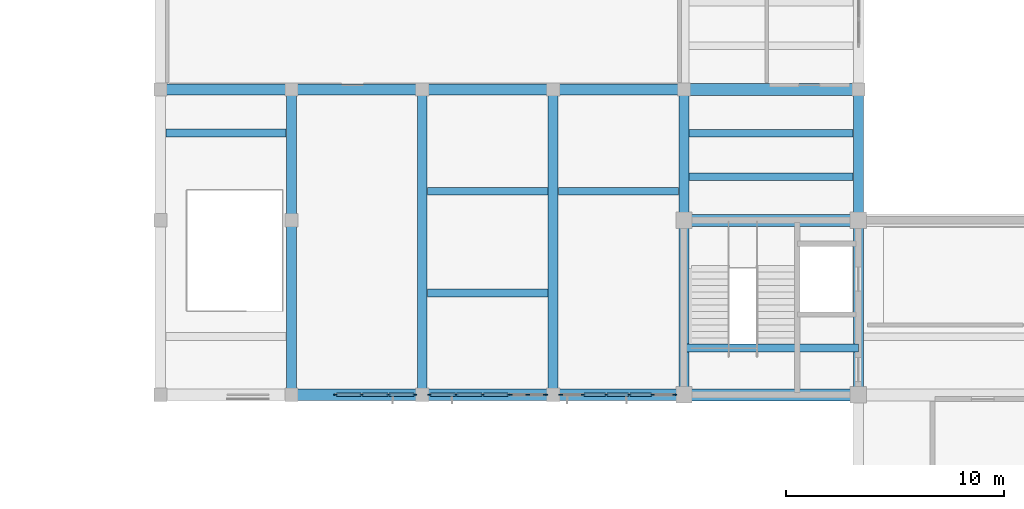
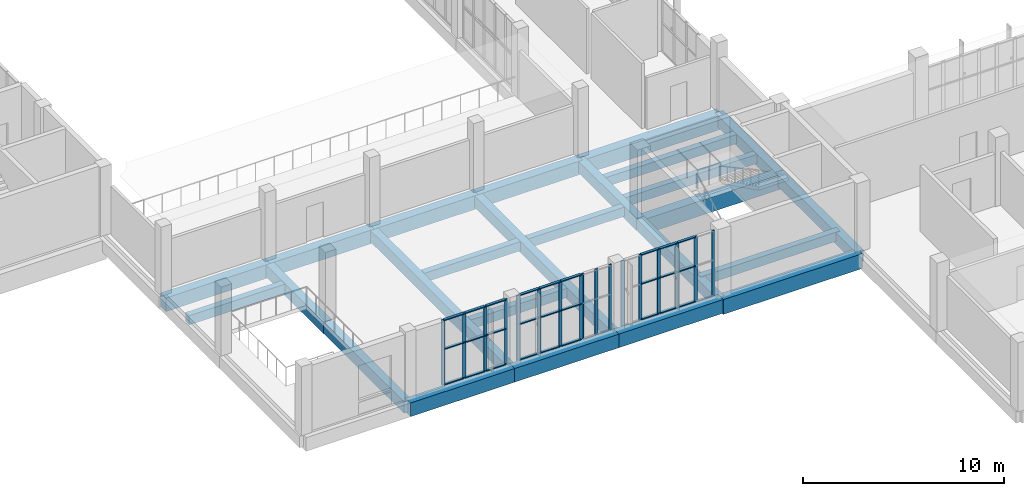
# One storey, part 2 of 85: 44 members, 25 beams, 4 elements without a shape of their own.
"""IFC4 building model written with IfcOpenShell, lengths in metres."""

from ifc_helpers import new_model, si_unit, direction, frame, origin, origin_2d, place, context, subcontext, project, spatial, rectangle, extrude, material, layer, layer_set, material_profile, profile_set, type_object, element, aggregate, save


model = new_model("IFC4")

# Units and contexts
model_context = context("Model", 3, precision=1e-05, world=origin(), true_north=direction((0.0, 1.0)))
body_context = subcontext(model_context, "Body", "Model", "MODEL_VIEW")
ifc_project = project(units=[si_unit("LENGTHUNIT", "METRE"), si_unit("AREAUNIT", "SQUARE_METRE"), si_unit("VOLUMEUNIT", "CUBIC_METRE"), si_unit("PLANEANGLEUNIT", "RADIAN"), si_unit("MASSUNIT", "GRAM", prefix="KILO")], contexts=[model_context])

# Site, building, storey
site_placement = place(None, origin())
site = spatial("IfcSite", under=ifc_project, at=site_placement, CompositionType="ELEMENT")
building_placement = place(site_placement, origin())
building = spatial("IfcBuilding", under=site, at=building_placement, Name="Solvane Community Centre", CompositionType="ELEMENT")
storey_placement = place(building_placement, frame((0.0, 0.0, 5.39990234375)))
storey = spatial("IfcBuildingStorey", under=building, at=storey_placement, Name="L01", CompositionType="ELEMENT", Elevation=5.39990234375)

# Curtain wall, members
ifc_material_1 = material(Name="Anodised bronze aluminium AW-6063 T6", Category="aluminium")
ifc_layer_1 = layer(ifc_material_1, 0.18994140625)
ifc_layer_set_1 = layer_set([ifc_layer_1], Name="Anodised bronze aluminium AW-6063 T6")
curtain_wall_type_1 = type_object("IfcCurtainWallType", Name="Boulevard Bronze Vision Curtain Wall [53x40dm]", PredefinedType="NOTDEFINED", material=ifc_layer_set_1)
curtain_wall_1_placement = place(storey_placement, origin())
curtain_wall_1 = element("IfcCurtainWall", 1, at=curtain_wall_1_placement, inside=storey, type_object=curtain_wall_type_1, Name="Curtain Wall CW-L01-596_220-080", PredefinedType="NOTDEFINED")
ifc_material_profile_1 = material_profile(ifc_material_1, rectangle(XDim=0.06005859375, YDim=0.18994140625, at=origin_2d()), Name="CW-M 60x190")
ifc_profile_set_1 = profile_set([ifc_material_profile_1], Name="Anodised bronze aluminium AW-6063 T6")
member_type_1 = type_object("IfcMemberType", Name="Boulevard Mullion 60x190", PredefinedType="MULLION", material=ifc_profile_set_1)
member_1_placement = place(storey_placement, frame((59.580078125, 22.0, 0.0), z_axis=(0.0, 0.0, 1.0), x_axis=(0.0, -1.0, 0.0)))
member_1 = element("IfcMember", 2, at=member_1_placement, type_object=member_type_1, Name="CW02-53x40 mullion 1", PredefinedType="MULLION", context=body_context, shape_type="SweptSolid", body=[
    extrude(rectangle(XDim=0.06005859375, YDim=0.18994140625, at=origin_2d()), origin(), (0.0, 0.0, 1.0), 3.97998046875),
])
member_2_placement = place(storey_placement, frame((58.552001953125, 22.0, 0.0), z_axis=(0.0, 0.0, 1.0), x_axis=(0.0, -1.0, 0.0)))
member_2 = element("IfcMember", 3, at=member_2_placement, type_object=member_type_1, Name="CW02-53x40 mullion 2", PredefinedType="MULLION", context=body_context, shape_type="SweptSolid", body=[
    extrude(rectangle(XDim=0.06005859375, YDim=0.18994140625, at=origin_2d()), origin(), (0.0, 0.0, 1.0), 3.97998046875),
])
member_3_placement = place(storey_placement, frame((57.493896484375, 22.0, 0.0), z_axis=(0.0, 0.0, 1.0), x_axis=(0.0, -1.0, 0.0)))
member_3 = element("IfcMember", 4, at=member_3_placement, type_object=member_type_1, Name="CW02-53x40 mullion 3", PredefinedType="MULLION", context=body_context, shape_type="SweptSolid", body=[
    extrude(rectangle(XDim=0.06005859375, YDim=0.18994140625, at=origin_2d()), origin(), (0.0, 0.0, 1.0), 3.97998046875),
])
member_4_placement = place(storey_placement, frame((56.43603515625, 22.0, 0.0), z_axis=(0.0, 0.0, 1.0), x_axis=(0.0, -1.0, 0.0)))
member_4 = element("IfcMember", 5, at=member_4_placement, type_object=member_type_1, Name="CW02-53x40 mullion 4", PredefinedType="MULLION", context=body_context, shape_type="SweptSolid", body=[
    extrude(rectangle(XDim=0.06005859375, YDim=0.18994140625, at=origin_2d()), origin(), (0.0, 0.0, 1.0), 3.97998046875),
])
member_5_placement = place(storey_placement, frame((55.3779296875, 22.0, 0.0), z_axis=(0.0, 0.0, 1.0), x_axis=(0.0, -1.0, 0.0)))
member_5 = element("IfcMember", 6, at=member_5_placement, type_object=member_type_1, Name="CW02-53x40 mullion 5", PredefinedType="MULLION", context=body_context, shape_type="SweptSolid", body=[
    extrude(rectangle(XDim=0.06005859375, YDim=0.18994140625, at=origin_2d()), origin(), (0.0, 0.0, 1.0), 3.97998046875),
])
member_6_placement = place(storey_placement, frame((54.35009765625, 22.0, 0.0), z_axis=(0.0, 0.0, 1.0), x_axis=(0.0, -1.0, 0.0)))
member_6 = element("IfcMember", 7, at=member_6_placement, type_object=member_type_1, Name="CW02-53x40 mullion 6", PredefinedType="MULLION", context=body_context, shape_type="SweptSolid", body=[
    extrude(rectangle(XDim=0.06005859375, YDim=0.18994140625, at=origin_2d()), origin(), (0.0, 0.0, 1.0), 3.97998046875),
])

ifc_layer_2 = layer(ifc_material_1, 0.18994140625)
ifc_layer_set_2 = layer_set([ifc_layer_2], Name="Anodised bronze aluminium AW-6063 T6")
curtain_wall_type_2 = type_object("IfcCurtainWallType", Name="Boulevard Bronze Vision Curtain Wall [17x40dm]", PredefinedType="NOTDEFINED", material=ifc_layer_set_2)
curtain_wall_2_placement = place(storey_placement, origin())
curtain_wall_2 = element("IfcCurtainWall", 8, at=curtain_wall_2_placement, inside=storey, type_object=curtain_wall_type_2, Name="Curtain Wall CW-L01-537_220-081", PredefinedType="NOTDEFINED")
member_7_placement = place(storey_placement, frame((53.64990234375, 22.0, 0.0), z_axis=(0.0, 0.0, 1.0), x_axis=(0.0, -1.0, 0.0)))
member_7 = element("IfcMember", 9, at=member_7_placement, type_object=member_type_1, Name="CW02-17x40 mullion 1", PredefinedType="MULLION", context=body_context, shape_type="SweptSolid", body=[
    extrude(rectangle(XDim=0.06005859375, YDim=0.18994140625, at=origin_2d()), origin(), (0.0, 0.0, 1.0), 3.97998046875),
])
member_8_placement = place(storey_placement, frame((52.840087890625, 22.0, 0.0), z_axis=(0.0, 0.0, 1.0), x_axis=(0.0, -1.0, 0.0)))
member_8 = element("IfcMember", 10, at=member_8_placement, type_object=member_type_1, Name="CW02-17x40 mullion 2", PredefinedType="MULLION", context=body_context, shape_type="SweptSolid", body=[
    extrude(rectangle(XDim=0.06005859375, YDim=0.18994140625, at=origin_2d()), origin(), (0.0, 0.0, 1.0), 3.97998046875),
])
member_9_placement = place(storey_placement, frame((52.030029296875, 22.0, 0.0), z_axis=(0.0, 0.0, 1.0), x_axis=(0.0, -1.0, 0.0)))
member_9 = element("IfcMember", 11, at=member_9_placement, type_object=member_type_1, Name="CW02-17x40 mullion 3", PredefinedType="MULLION", context=body_context, shape_type="SweptSolid", body=[
    extrude(rectangle(XDim=0.06005859375, YDim=0.18994140625, at=origin_2d()), origin(), (0.0, 0.0, 1.0), 3.97998046875),
])
aggregate(curtain_wall_2, [member_7, member_8, member_9])

ifc_layer_3 = layer(ifc_material_1, 0.18994140625)
ifc_layer_set_3 = layer_set([ifc_layer_3], Name="Anodised bronze aluminium AW-6063 T6")
curtain_wall_type_3 = type_object("IfcCurtainWallType", Name="Boulevard Bronze Vision Curtain Wall [37x40dm]", PredefinedType="NOTDEFINED", material=ifc_layer_set_3)
curtain_wall_3_placement = place(storey_placement, origin())
curtain_wall_3 = element("IfcCurtainWall", 12, at=curtain_wall_3_placement, inside=storey, type_object=curtain_wall_type_3, Name="Curtain Wall CW-L01-520_220-082", PredefinedType="NOTDEFINED")
member_10_placement = place(storey_placement, frame((51.969970703125, 22.0, 0.0), z_axis=(0.0, 0.0, 1.0), x_axis=(0.0, -1.0, 0.0)))
member_10 = element("IfcMember", 13, at=member_10_placement, type_object=member_type_1, Name="CW02-37x40 mullion 1", PredefinedType="MULLION", context=body_context, shape_type="SweptSolid", body=[
    extrude(rectangle(XDim=0.06005859375, YDim=0.18994140625, at=origin_2d()), origin(), (0.0, 0.0, 1.0), 3.97998046875),
])
member_11_placement = place(storey_placement, frame((50.7734375, 22.0, 0.0), z_axis=(0.0, 0.0, 1.0), x_axis=(0.0, -1.0, 0.0)))
member_11 = element("IfcMember", 14, at=member_11_placement, type_object=member_type_1, Name="CW02-37x40 mullion 2", PredefinedType="MULLION", context=body_context, shape_type="SweptSolid", body=[
    extrude(rectangle(XDim=0.06005859375, YDim=0.18994140625, at=origin_2d()), origin(), (0.0, 0.0, 1.0), 3.97998046875),
])
member_12_placement = place(storey_placement, frame((49.546630859375, 22.0, 0.0), z_axis=(0.0, 0.0, 1.0), x_axis=(0.0, -1.0, 0.0)))
member_12 = element("IfcMember", 15, at=member_12_placement, type_object=member_type_1, Name="CW02-37x40 mullion 3", PredefinedType="MULLION", context=body_context, shape_type="SweptSolid", body=[
    extrude(rectangle(XDim=0.06005859375, YDim=0.18994140625, at=origin_2d()), origin(), (0.0, 0.0, 1.0), 3.97998046875),
])
member_13_placement = place(storey_placement, frame((48.35009765625, 22.0, 0.0), z_axis=(0.0, 0.0, 1.0), x_axis=(0.0, -1.0, 0.0)))
member_13 = element("IfcMember", 16, at=member_13_placement, type_object=member_type_1, Name="CW02-37x40 mullion 4", PredefinedType="MULLION", context=body_context, shape_type="SweptSolid", body=[
    extrude(rectangle(XDim=0.06005859375, YDim=0.18994140625, at=origin_2d()), origin(), (0.0, 0.0, 1.0), 3.97998046875),
])

curtain_wall_4_placement = place(storey_placement, origin())
curtain_wall_4 = element("IfcCurtainWall", 17, at=curtain_wall_4_placement, inside=storey, type_object=curtain_wall_type_3, Name="Curtain Wall CW-L01-477_220-083", PredefinedType="NOTDEFINED")
member_14_placement = place(storey_placement, frame((47.64990234375, 22.0, 0.0), z_axis=(0.0, 0.0, 1.0), x_axis=(0.0, -1.0, 0.0)))
member_14 = element("IfcMember", 18, at=member_14_placement, type_object=member_type_1, Name="CW02-37x40 mullion 1", PredefinedType="MULLION", context=body_context, shape_type="SweptSolid", body=[
    extrude(rectangle(XDim=0.06005859375, YDim=0.18994140625, at=origin_2d()), origin(), (0.0, 0.0, 1.0), 3.97998046875),
])
member_15_placement = place(storey_placement, frame((46.453369140625, 22.0, 0.0), z_axis=(0.0, 0.0, 1.0), x_axis=(0.0, -1.0, 0.0)))
member_15 = element("IfcMember", 19, at=member_15_placement, type_object=member_type_1, Name="CW02-37x40 mullion 2", PredefinedType="MULLION", context=body_context, shape_type="SweptSolid", body=[
    extrude(rectangle(XDim=0.06005859375, YDim=0.18994140625, at=origin_2d()), origin(), (0.0, 0.0, 1.0), 3.97998046875),
])
member_16_placement = place(storey_placement, frame((45.2265625, 22.0, 0.0), z_axis=(0.0, 0.0, 1.0), x_axis=(0.0, -1.0, 0.0)))
member_16 = element("IfcMember", 20, at=member_16_placement, type_object=member_type_1, Name="CW02-37x40 mullion 3", PredefinedType="MULLION", context=body_context, shape_type="SweptSolid", body=[
    extrude(rectangle(XDim=0.06005859375, YDim=0.18994140625, at=origin_2d()), origin(), (0.0, 0.0, 1.0), 3.97998046875),
])
member_17_placement = place(storey_placement, frame((44.030029296875, 22.0, 0.0), z_axis=(0.0, 0.0, 1.0), x_axis=(0.0, -1.0, 0.0)))
member_17 = element("IfcMember", 21, at=member_17_placement, type_object=member_type_1, Name="CW02-37x40 mullion 4", PredefinedType="MULLION", context=body_context, shape_type="SweptSolid", body=[
    extrude(rectangle(XDim=0.06005859375, YDim=0.18994140625, at=origin_2d()), origin(), (0.0, 0.0, 1.0), 3.97998046875),
])

# Member
ifc_material_profile_2 = material_profile(ifc_material_1, rectangle(XDim=0.14990234375, YDim=0.06005859375, at=origin_2d()), Name="CW-T 60x150")
ifc_profile_set_2 = profile_set([ifc_material_profile_2], Name="Anodised bronze aluminium AW-6063 T6")
member_type_2 = type_object("IfcMemberType", Name="Boulevard Transom 60x150", PredefinedType="USERDEFINED", material=ifc_profile_set_2)
member_18_placement = place(storey_placement, frame((58.52197265625, 22.0, 0.030029296875), z_axis=(-1.0, 0.0, 0.0), x_axis=(0.0, -1.0, 0.0)))
member_18 = element("IfcMember", 22, at=member_18_placement, type_object=member_type_2, Name="CW02-53x40 transom 2.1", ObjectType="TRANSOM", PredefinedType="USERDEFINED", context=body_context, shape_type="SweptSolid", body=[
    extrude(rectangle(XDim=0.14990234375, YDim=0.06005859375, at=origin_2d()), origin(), (0.0, 0.0, 1.0), 0.998046875),
])

member_19_placement = place(storey_placement, frame((58.52197265625, 22.0, 2.189208984375), z_axis=(-1.0, 0.0, 0.0), x_axis=(0.0, -1.0, 0.0)))
member_19 = element("IfcMember", 23, at=member_19_placement, type_object=member_type_2, Name="CW02-53x40 transom 2.2", ObjectType="TRANSOM", PredefinedType="USERDEFINED", context=body_context, shape_type="SweptSolid", body=[
    extrude(rectangle(XDim=0.14990234375, YDim=0.06005859375, at=origin_2d()), origin(), (0.0, 0.0, 1.0), 0.998046875),
])

member_20_placement = place(storey_placement, frame((58.52197265625, 22.0, 3.9501953125), z_axis=(-1.0, 0.0, 0.0), x_axis=(0.0, -1.0, 0.0)))
member_20 = element("IfcMember", 24, at=member_20_placement, type_object=member_type_2, Name="CW02-53x40 transom 2.3", ObjectType="TRANSOM", PredefinedType="USERDEFINED", context=body_context, shape_type="SweptSolid", body=[
    extrude(rectangle(XDim=0.14990234375, YDim=0.06005859375, at=origin_2d()), origin(), (0.0, 0.0, 1.0), 0.998046875),
])

member_21_placement = place(storey_placement, frame((57.464111328125, 22.0, 0.030029296875), z_axis=(-1.0, 0.0, 0.0), x_axis=(0.0, -1.0, 0.0)))
member_21 = element("IfcMember", 25, at=member_21_placement, type_object=member_type_2, Name="CW02-53x40 transom 3.1", ObjectType="TRANSOM", PredefinedType="USERDEFINED", context=body_context, shape_type="SweptSolid", body=[
    extrude(rectangle(XDim=0.14990234375, YDim=0.06005859375, at=origin_2d()), origin(), (0.0, 0.0, 1.0), 0.998046875),
])

member_22_placement = place(storey_placement, frame((57.464111328125, 22.0, 2.189208984375), z_axis=(-1.0, 0.0, 0.0), x_axis=(0.0, -1.0, 0.0)))
member_22 = element("IfcMember", 26, at=member_22_placement, type_object=member_type_2, Name="CW02-53x40 transom 3.2", ObjectType="TRANSOM", PredefinedType="USERDEFINED", context=body_context, shape_type="SweptSolid", body=[
    extrude(rectangle(XDim=0.14990234375, YDim=0.06005859375, at=origin_2d()), origin(), (0.0, 0.0, 1.0), 0.998046875),
])

member_23_placement = place(storey_placement, frame((57.464111328125, 22.0, 3.9501953125), z_axis=(-1.0, 0.0, 0.0), x_axis=(0.0, -1.0, 0.0)))
member_23 = element("IfcMember", 27, at=member_23_placement, type_object=member_type_2, Name="CW02-53x40 transom 3.3", ObjectType="TRANSOM", PredefinedType="USERDEFINED", context=body_context, shape_type="SweptSolid", body=[
    extrude(rectangle(XDim=0.14990234375, YDim=0.06005859375, at=origin_2d()), origin(), (0.0, 0.0, 1.0), 0.998046875),
])

member_24_placement = place(storey_placement, frame((56.406005859375, 22.0, 0.030029296875), z_axis=(-1.0, 0.0, 0.0), x_axis=(0.0, -1.0, 0.0)))
member_24 = element("IfcMember", 28, at=member_24_placement, type_object=member_type_2, Name="CW02-53x40 transom 4.1", ObjectType="TRANSOM", PredefinedType="USERDEFINED", context=body_context, shape_type="SweptSolid", body=[
    extrude(rectangle(XDim=0.14990234375, YDim=0.06005859375, at=origin_2d()), origin(), (0.0, 0.0, 1.0), 0.998046875),
])

member_25_placement = place(storey_placement, frame((56.406005859375, 22.0, 2.189208984375), z_axis=(-1.0, 0.0, 0.0), x_axis=(0.0, -1.0, 0.0)))
member_25 = element("IfcMember", 29, at=member_25_placement, type_object=member_type_2, Name="CW02-53x40 transom 4.2", ObjectType="TRANSOM", PredefinedType="USERDEFINED", context=body_context, shape_type="SweptSolid", body=[
    extrude(rectangle(XDim=0.14990234375, YDim=0.06005859375, at=origin_2d()), origin(), (0.0, 0.0, 1.0), 0.998046875),
])

member_26_placement = place(storey_placement, frame((56.406005859375, 22.0, 3.9501953125), z_axis=(-1.0, 0.0, 0.0), x_axis=(0.0, -1.0, 0.0)))
member_26 = element("IfcMember", 30, at=member_26_placement, type_object=member_type_2, Name="CW02-53x40 transom 4.3", ObjectType="TRANSOM", PredefinedType="USERDEFINED", context=body_context, shape_type="SweptSolid", body=[
    extrude(rectangle(XDim=0.14990234375, YDim=0.06005859375, at=origin_2d()), origin(), (0.0, 0.0, 1.0), 0.998046875),
])

aggregate(curtain_wall_1, [member_1, member_2, member_3, member_4, member_5, member_6, member_18, member_19, member_20, member_21, member_22, member_23, member_24, member_25, member_26])

member_27_placement = place(storey_placement, frame((51.93994140625, 22.0, 0.030029296875), z_axis=(-1.0, 0.0, 0.0), x_axis=(0.0, -1.0, 0.0)))
member_27 = element("IfcMember", 31, at=member_27_placement, type_object=member_type_2, Name="CW02-37x40 transom 1.1", ObjectType="TRANSOM", PredefinedType="USERDEFINED", context=body_context, shape_type="SweptSolid", body=[
    extrude(rectangle(XDim=0.14990234375, YDim=0.06005859375, at=origin_2d()), origin(), (0.0, 0.0, 1.0), 1.13671875),
])

member_28_placement = place(storey_placement, frame((51.93994140625, 22.0, 2.189208984375), z_axis=(-1.0, 0.0, 0.0), x_axis=(0.0, -1.0, 0.0)))
member_28 = element("IfcMember", 32, at=member_28_placement, type_object=member_type_2, Name="CW02-37x40 transom 1.2", ObjectType="TRANSOM", PredefinedType="USERDEFINED", context=body_context, shape_type="SweptSolid", body=[
    extrude(rectangle(XDim=0.14990234375, YDim=0.06005859375, at=origin_2d()), origin(), (0.0, 0.0, 1.0), 1.13671875),
])

member_29_placement = place(storey_placement, frame((51.93994140625, 22.0, 3.9501953125), z_axis=(-1.0, 0.0, 0.0), x_axis=(0.0, -1.0, 0.0)))
member_29 = element("IfcMember", 33, at=member_29_placement, type_object=member_type_2, Name="CW02-37x40 transom 1.3", ObjectType="TRANSOM", PredefinedType="USERDEFINED", context=body_context, shape_type="SweptSolid", body=[
    extrude(rectangle(XDim=0.14990234375, YDim=0.06005859375, at=origin_2d()), origin(), (0.0, 0.0, 1.0), 1.13671875),
])

member_30_placement = place(storey_placement, frame((50.743408203125, 22.0, 0.030029296875), z_axis=(-1.0, 0.0, 0.0), x_axis=(0.0, -1.0, 0.0)))
member_30 = element("IfcMember", 34, at=member_30_placement, type_object=member_type_2, Name="CW02-37x40 transom 2.1", ObjectType="TRANSOM", PredefinedType="USERDEFINED", context=body_context, shape_type="SweptSolid", body=[
    extrude(rectangle(XDim=0.14990234375, YDim=0.06005859375, at=origin_2d()), origin(), (0.0, 0.0, 1.0), 1.166748046875),
])

member_31_placement = place(storey_placement, frame((50.743408203125, 22.0, 2.189208984375), z_axis=(-1.0, 0.0, 0.0), x_axis=(0.0, -1.0, 0.0)))
member_31 = element("IfcMember", 35, at=member_31_placement, type_object=member_type_2, Name="CW02-37x40 transom 2.2", ObjectType="TRANSOM", PredefinedType="USERDEFINED", context=body_context, shape_type="SweptSolid", body=[
    extrude(rectangle(XDim=0.14990234375, YDim=0.06005859375, at=origin_2d()), origin(), (0.0, 0.0, 1.0), 1.166748046875),
])

member_32_placement = place(storey_placement, frame((50.743408203125, 22.0, 3.9501953125), z_axis=(-1.0, 0.0, 0.0), x_axis=(0.0, -1.0, 0.0)))
member_32 = element("IfcMember", 36, at=member_32_placement, type_object=member_type_2, Name="CW02-37x40 transom 2.3", ObjectType="TRANSOM", PredefinedType="USERDEFINED", context=body_context, shape_type="SweptSolid", body=[
    extrude(rectangle(XDim=0.14990234375, YDim=0.06005859375, at=origin_2d()), origin(), (0.0, 0.0, 1.0), 1.166748046875),
])

member_33_placement = place(storey_placement, frame((49.5166015625, 22.0, 0.030029296875), z_axis=(-1.0, 0.0, 0.0), x_axis=(0.0, -1.0, 0.0)))
member_33 = element("IfcMember", 37, at=member_33_placement, type_object=member_type_2, Name="CW02-37x40 transom 3.1", ObjectType="TRANSOM", PredefinedType="USERDEFINED", context=body_context, shape_type="SweptSolid", body=[
    extrude(rectangle(XDim=0.14990234375, YDim=0.06005859375, at=origin_2d()), origin(), (0.0, 0.0, 1.0), 1.13671875),
])

member_34_placement = place(storey_placement, frame((49.5166015625, 22.0, 2.189208984375), z_axis=(-1.0, 0.0, 0.0), x_axis=(0.0, -1.0, 0.0)))
member_34 = element("IfcMember", 38, at=member_34_placement, type_object=member_type_2, Name="CW02-37x40 transom 3.2", ObjectType="TRANSOM", PredefinedType="USERDEFINED", context=body_context, shape_type="SweptSolid", body=[
    extrude(rectangle(XDim=0.14990234375, YDim=0.06005859375, at=origin_2d()), origin(), (0.0, 0.0, 1.0), 1.13671875),
])

member_35_placement = place(storey_placement, frame((49.5166015625, 22.0, 3.9501953125), z_axis=(-1.0, 0.0, 0.0), x_axis=(0.0, -1.0, 0.0)))
member_35 = element("IfcMember", 39, at=member_35_placement, type_object=member_type_2, Name="CW02-37x40 transom 3.3", ObjectType="TRANSOM", PredefinedType="USERDEFINED", context=body_context, shape_type="SweptSolid", body=[
    extrude(rectangle(XDim=0.14990234375, YDim=0.06005859375, at=origin_2d()), origin(), (0.0, 0.0, 1.0), 1.13671875),
])

aggregate(curtain_wall_3, [member_10, member_11, member_12, member_13, member_27, member_28, member_29, member_30, member_31, member_32, member_33, member_34, member_35])

member_36_placement = place(storey_placement, frame((47.6201171875, 22.0, 0.030029296875), z_axis=(-1.0, 0.0, 0.0), x_axis=(0.0, -1.0, 0.0)))
member_36 = element("IfcMember", 40, at=member_36_placement, type_object=member_type_2, Name="CW02-37x40 transom 1.1", ObjectType="TRANSOM", PredefinedType="USERDEFINED", context=body_context, shape_type="SweptSolid", body=[
    extrude(rectangle(XDim=0.14990234375, YDim=0.06005859375, at=origin_2d()), origin(), (0.0, 0.0, 1.0), 1.13671875),
])

member_37_placement = place(storey_placement, frame((47.6201171875, 22.0, 2.189208984375), z_axis=(-1.0, 0.0, 0.0), x_axis=(0.0, -1.0, 0.0)))
member_37 = element("IfcMember", 41, at=member_37_placement, type_object=member_type_2, Name="CW02-37x40 transom 1.2", ObjectType="TRANSOM", PredefinedType="USERDEFINED", context=body_context, shape_type="SweptSolid", body=[
    extrude(rectangle(XDim=0.14990234375, YDim=0.06005859375, at=origin_2d()), origin(), (0.0, 0.0, 1.0), 1.13671875),
])

member_38_placement = place(storey_placement, frame((47.6201171875, 22.0, 3.9501953125), z_axis=(-1.0, 0.0, 0.0), x_axis=(0.0, -1.0, 0.0)))
member_38 = element("IfcMember", 42, at=member_38_placement, type_object=member_type_2, Name="CW02-37x40 transom 1.3", ObjectType="TRANSOM", PredefinedType="USERDEFINED", context=body_context, shape_type="SweptSolid", body=[
    extrude(rectangle(XDim=0.14990234375, YDim=0.06005859375, at=origin_2d()), origin(), (0.0, 0.0, 1.0), 1.13671875),
])

member_39_placement = place(storey_placement, frame((46.42333984375, 22.0, 0.030029296875), z_axis=(-1.0, 0.0, 0.0), x_axis=(0.0, -1.0, 0.0)))
member_39 = element("IfcMember", 43, at=member_39_placement, type_object=member_type_2, Name="CW02-37x40 transom 2.1", ObjectType="TRANSOM", PredefinedType="USERDEFINED", context=body_context, shape_type="SweptSolid", body=[
    extrude(rectangle(XDim=0.14990234375, YDim=0.06005859375, at=origin_2d()), origin(), (0.0, 0.0, 1.0), 1.166748046875),
])

member_40_placement = place(storey_placement, frame((46.42333984375, 22.0, 2.189208984375), z_axis=(-1.0, 0.0, 0.0), x_axis=(0.0, -1.0, 0.0)))
member_40 = element("IfcMember", 44, at=member_40_placement, type_object=member_type_2, Name="CW02-37x40 transom 2.2", ObjectType="TRANSOM", PredefinedType="USERDEFINED", context=body_context, shape_type="SweptSolid", body=[
    extrude(rectangle(XDim=0.14990234375, YDim=0.06005859375, at=origin_2d()), origin(), (0.0, 0.0, 1.0), 1.166748046875),
])

member_41_placement = place(storey_placement, frame((46.42333984375, 22.0, 3.9501953125), z_axis=(-1.0, 0.0, 0.0), x_axis=(0.0, -1.0, 0.0)))
member_41 = element("IfcMember", 45, at=member_41_placement, type_object=member_type_2, Name="CW02-37x40 transom 2.3", ObjectType="TRANSOM", PredefinedType="USERDEFINED", context=body_context, shape_type="SweptSolid", body=[
    extrude(rectangle(XDim=0.14990234375, YDim=0.06005859375, at=origin_2d()), origin(), (0.0, 0.0, 1.0), 1.166748046875),
])

member_42_placement = place(storey_placement, frame((45.19677734375, 22.0, 0.030029296875), z_axis=(-1.0, 0.0, 0.0), x_axis=(0.0, -1.0, 0.0)))
member_42 = element("IfcMember", 46, at=member_42_placement, type_object=member_type_2, Name="CW02-37x40 transom 3.1", ObjectType="TRANSOM", PredefinedType="USERDEFINED", context=body_context, shape_type="SweptSolid", body=[
    extrude(rectangle(XDim=0.14990234375, YDim=0.06005859375, at=origin_2d()), origin(), (0.0, 0.0, 1.0), 1.13671875),
])

member_43_placement = place(storey_placement, frame((45.19677734375, 22.0, 2.189208984375), z_axis=(-1.0, 0.0, 0.0), x_axis=(0.0, -1.0, 0.0)))
member_43 = element("IfcMember", 47, at=member_43_placement, type_object=member_type_2, Name="CW02-37x40 transom 3.2", ObjectType="TRANSOM", PredefinedType="USERDEFINED", context=body_context, shape_type="SweptSolid", body=[
    extrude(rectangle(XDim=0.14990234375, YDim=0.06005859375, at=origin_2d()), origin(), (0.0, 0.0, 1.0), 1.13671875),
])

member_44_placement = place(storey_placement, frame((45.19677734375, 22.0, 3.9501953125), z_axis=(-1.0, 0.0, 0.0), x_axis=(0.0, -1.0, 0.0)))
member_44 = element("IfcMember", 48, at=member_44_placement, type_object=member_type_2, Name="CW02-37x40 transom 3.3", ObjectType="TRANSOM", PredefinedType="USERDEFINED", context=body_context, shape_type="SweptSolid", body=[
    extrude(rectangle(XDim=0.14990234375, YDim=0.06005859375, at=origin_2d()), origin(), (0.0, 0.0, 1.0), 1.13671875),
])

aggregate(curtain_wall_4, [member_14, member_15, member_16, member_17, member_36, member_37, member_38, member_39, member_40, member_41, member_42, member_43, member_44])

# Beams
ifc_material_2 = material(Name="Concrete C35/45", Category="concrete")
ifc_material_profile_3 = material_profile(ifc_material_2, rectangle(XDim=0.4599609375, YDim=0.719970703125, at=origin_2d()), Name="RC 460x720")
ifc_profile_set_3 = profile_set([ifc_material_profile_3], Name="Concrete C35/45")
beam_type_1 = type_object("IfcBeamType", Name="RC Cloister Beam 460x720", PredefinedType="BEAM", material=ifc_profile_set_3)
for number, where, z_axis, x_axis, name in (
    (49, (42.0, 30.0, -0.599853515625), (0.0, 1.0, 0.0), (-1.0, 0.0, 0.0), "Beam BM-L01-420_300-420_360"),
    (50, (60.0, 30.0, -0.599853515625), (0.0, 1.0, 0.0), (-1.0, 0.0, 0.0), "Beam BM-L01-600_300-600_360"),
    (51, (68.0, 30.0, -0.599853515625), (0.0, 1.0, 0.0), (-1.0, 0.0, 0.0), "Beam BM-L01-680_300-680_360"),
):
    element("IfcBeam", number, at=place(storey_placement, frame(where, z_axis=z_axis, x_axis=x_axis)), inside=storey, type_object=beam_type_1, Name=name, PredefinedType="BEAM", context=body_context, shape_type="SweptSolid", body=[
        extrude(rectangle(XDim=0.4599609375, YDim=0.719970703125, at=origin_2d()), origin(), (0.0, 0.0, 1.0), 6.0),
    ])
ifc_material_profile_4 = material_profile(ifc_material_2, rectangle(XDim=0.449951171875, YDim=0.699951171875, at=origin_2d()), Name="RC 450x700")
ifc_profile_set_4 = profile_set([ifc_material_profile_4], Name="Concrete C35/45")
beam_type_2 = type_object("IfcBeamType", Name="RC Floor Beam 450x700", PredefinedType="BEAM", material=ifc_profile_set_4)
beam_1_placement = place(storey_placement, frame((42.0, 22.0, -0.58984375), z_axis=(0.0, 1.0, 0.0), x_axis=(-1.0, 0.0, 0.0)))
element("IfcBeam", 52, at=beam_1_placement, inside=storey, type_object=beam_type_2, Name="Beam BM-L01-420_220-420_300", PredefinedType="BEAM", context=body_context, shape_type="SweptSolid", body=[
    extrude(rectangle(XDim=0.449951171875, YDim=0.699951171875, at=origin_2d()), origin(), (0.0, 0.0, 1.0), 8.0),
])
for number, where, z_axis, x_axis, name in (
    (53, (48.0, 22.0, -0.58984375), (0.0, 1.0, 0.0), (-1.0, 0.0, 0.0), "Beam BM-L01-480_220-480_360"),
    (54, (54.0, 22.0, -0.58984375), (0.0, 1.0, 0.0), (-1.0, 0.0, 0.0), "Beam BM-L01-540_220-540_360"),
):
    element("IfcBeam", number, at=place(storey_placement, frame(where, z_axis=z_axis, x_axis=x_axis)), inside=storey, type_object=beam_type_2, Name=name, PredefinedType="BEAM", context=body_context, shape_type="SweptSolid", body=[
        extrude(rectangle(XDim=0.449951171875, YDim=0.699951171875, at=origin_2d()), origin(), (0.0, 0.0, 1.0), 14.0),
    ])
for number, where, z_axis, x_axis, name in (
    (55, (60.0, 22.0, -0.58984375), (0.0, 1.0, 0.0), (-1.0, 0.0, 0.0), "Beam BM-L01-600_220-600_300"),
    (56, (68.0, 22.0, -0.58984375), (0.0, 1.0, 0.0), (-1.0, 0.0, 0.0), "Beam BM-L01-680_220-680_300"),
):
    element("IfcBeam", number, at=place(storey_placement, frame(where, z_axis=z_axis, x_axis=x_axis)), inside=storey, type_object=beam_type_2, Name=name, PredefinedType="BEAM", context=body_context, shape_type="SweptSolid", body=[
        extrude(rectangle(XDim=0.449951171875, YDim=0.699951171875, at=origin_2d()), origin(), (0.0, 0.0, 1.0), 8.0),
    ])
ifc_material_profile_5 = material_profile(ifc_material_2, rectangle(XDim=0.550048828125, YDim=0.89990234375, at=origin_2d()), Name="RC 550x900")
ifc_profile_set_5 = profile_set([ifc_material_profile_5], Name="Concrete C35/45")
beam_type_3 = type_object("IfcBeamType", Name="RC Heavy Girder 550x900", PredefinedType="USERDEFINED", material=ifc_profile_set_5)
for number, where, z_axis, x_axis, name in (
    (57, (60.0, 22.0, -0.68994140625), (1.0, 0.0, 0.0), (0.0, 1.0, 0.0), "Beam BM-L01-600_220-680_220"),
    (58, (60.0, 30.0, -0.68994140625), (1.0, 0.0, 0.0), (0.0, 1.0, 0.0), "Beam BM-L01-600_300-680_300"),
    (59, (60.0, 36.0, -0.68994140625), (1.0, 0.0, 0.0), (0.0, 1.0, 0.0), "Beam BM-L01-600_360-680_360"),
):
    element("IfcBeam", number, at=place(storey_placement, frame(where, z_axis=z_axis, x_axis=x_axis)), inside=storey, type_object=beam_type_3, Name=name, ObjectType="GIRDER", PredefinedType="USERDEFINED", context=body_context, shape_type="SweptSolid", body=[
        extrude(rectangle(XDim=0.550048828125, YDim=0.89990234375, at=origin_2d()), origin(), (0.0, 0.0, 1.0), 8.0),
    ])
ifc_material_profile_6 = material_profile(ifc_material_2, rectangle(XDim=0.52001953125, YDim=0.830078125, at=origin_2d()), Name="RC 520x830")
ifc_profile_set_6 = profile_set([ifc_material_profile_6], Name="Concrete C35/45")
beam_type_4 = type_object("IfcBeamType", Name="RC Medium Girder 520x830", PredefinedType="USERDEFINED", material=ifc_profile_set_6)
for number, where, z_axis, x_axis, name in (
    (60, (42.0, 22.0, -0.65478515625), (1.0, 0.0, 0.0), (0.0, 1.0, 0.0), "Beam BM-L01-420_220-480_220"),
    (61, (48.0, 22.0, -0.65478515625), (1.0, 0.0, 0.0), (0.0, 1.0, 0.0), "Beam BM-L01-480_220-540_220"),
    (62, (54.0, 22.0, -0.65478515625), (1.0, 0.0, 0.0), (0.0, 1.0, 0.0), "Beam BM-L01-540_220-600_220"),
    (63, (36.0, 36.0, -0.65478515625), (1.0, 0.0, 0.0), (0.0, 1.0, 0.0), "Beam BM-L01-360_360-420_360"),
    (64, (42.0, 36.0, -0.65478515625), (1.0, 0.0, 0.0), (0.0, 1.0, 0.0), "Beam BM-L01-420_360-480_360"),
    (65, (48.0, 36.0, -0.65478515625), (1.0, 0.0, 0.0), (0.0, 1.0, 0.0), "Beam BM-L01-480_360-540_360"),
    (66, (54.0, 36.0, -0.65478515625), (1.0, 0.0, 0.0), (0.0, 1.0, 0.0), "Beam BM-L01-540_360-600_360"),
):
    element("IfcBeam", number, at=place(storey_placement, frame(where, z_axis=z_axis, x_axis=x_axis)), inside=storey, type_object=beam_type_4, Name=name, ObjectType="GIRDER", PredefinedType="USERDEFINED", context=body_context, shape_type="SweptSolid", body=[
        extrude(rectangle(XDim=0.52001953125, YDim=0.830078125, at=origin_2d()), origin(), (0.0, 0.0, 1.0), 6.0),
    ])
ifc_material_profile_7 = material_profile(ifc_material_2, rectangle(XDim=0.35009765625, YDim=0.550048828125, at=origin_2d()), Name="RC 350x550")
ifc_profile_set_7 = profile_set([ifc_material_profile_7], Name="Concrete C35/45")
beam_type_5 = type_object("IfcBeamType", Name="RC Secondary Joist 350x550", PredefinedType="JOIST", material=ifc_profile_set_7)
for number, where, z_axis, x_axis, name in (
    (67, (60.239990234375, 32.0, -0.514892578125), (1.0, 0.0, 0.0), (0.0, 1.0, 0.0), "Beam BM-L01-602_320-678_320"),
    (68, (60.239990234375, 34.0, -0.514892578125), (1.0, 0.0, 0.0), (0.0, 1.0, 0.0), "Beam BM-L01-602_340-678_340"),
):
    element("IfcBeam", number, at=place(storey_placement, frame(where, z_axis=z_axis, x_axis=x_axis)), inside=storey, type_object=beam_type_5, Name=name, PredefinedType="JOIST", context=body_context, shape_type="SweptSolid", body=[
        extrude(rectangle(XDim=0.35009765625, YDim=0.550048828125, at=origin_2d()), origin(), (0.0, 0.0, 1.0), 7.52001953125),
    ])
ifc_material_profile_8 = material_profile(ifc_material_2, rectangle(XDim=0.360107421875, YDim=0.56005859375, at=origin_2d()), Name="RC 360x560")
ifc_profile_set_8 = profile_set([ifc_material_profile_8], Name="Concrete C35/45")
beam_type_6 = type_object("IfcBeamType", Name="RC Terrace Joist 360x560", PredefinedType="JOIST", material=ifc_profile_set_8)
for number, where, z_axis, x_axis, name in (
    (69, (36.239990234375, 34.0, -0.52001953125), (1.0, 0.0, 0.0), (0.0, 1.0, 0.0), "Beam BM-L01-362_340-418_340"),
    (70, (48.239990234375, 26.666748046875, -0.52001953125), (1.0, 0.0, 0.0), (0.0, 1.0, 0.0), "Beam BM-L01-482_267-538_267"),
    (71, (48.239990234375, 31.333251953125, -0.52001953125), (1.0, 0.0, 0.0), (0.0, 1.0, 0.0), "Beam BM-L01-482_313-538_313"),
    (72, (54.239990234375, 31.333251953125, -0.52001953125), (1.0, 0.0, 0.0), (0.0, 1.0, 0.0), "Beam BM-L01-542_313-598_313"),
):
    element("IfcBeam", number, at=place(storey_placement, frame(where, z_axis=z_axis, x_axis=x_axis)), inside=storey, type_object=beam_type_6, Name=name, PredefinedType="JOIST", context=body_context, shape_type="SweptSolid", body=[
        extrude(rectangle(XDim=0.360107421875, YDim=0.56005859375, at=origin_2d()), origin(), (0.0, 0.0, 1.0), 5.52001953125),
    ])
beam_2_placement = place(storey_placement, frame((60.0, 24.14990234375, -0.5), z_axis=(1.0, 0.0, 0.0), x_axis=(0.0, 1.0, 0.0)))
element("IfcBeam", 73, at=beam_2_placement, inside=storey, type_object=beam_type_6, Name="Beam BM-L01-600_242-680_242", PredefinedType="JOIST", context=body_context, shape_type="SweptSolid", body=[
    extrude(rectangle(XDim=0.360107421875, YDim=0.56005859375, at=origin_2d()), origin(), (0.0, 0.0, 1.0), 8.0),
])

save(model, "model.ifc")
